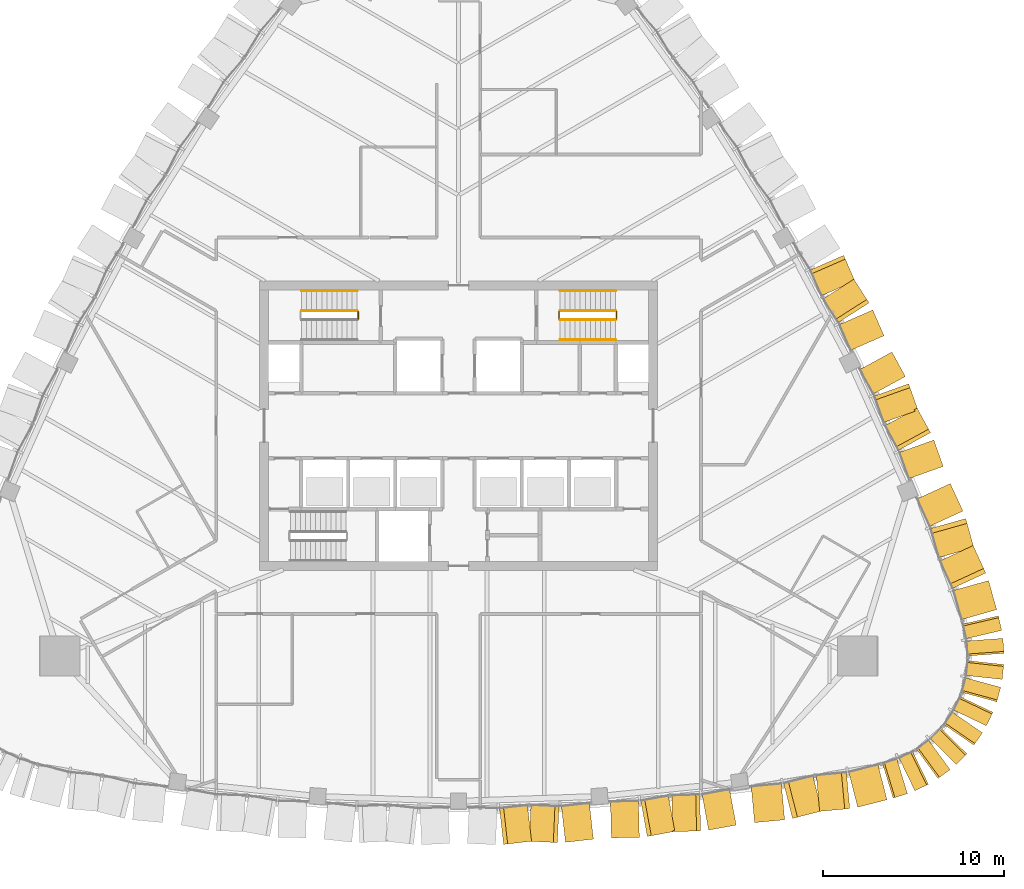
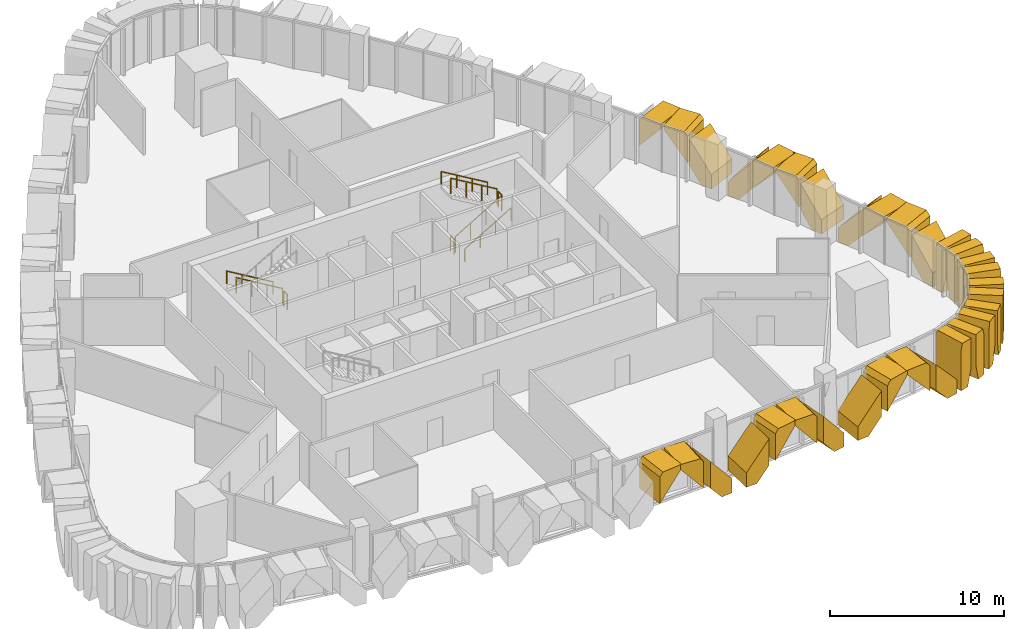
# One storey, part 18 of 20: 32 coverings, 9 railings.
"""IFC4 building model written with IfcOpenShell, lengths in metres."""

from ifc_helpers import new_model, si_unit, direction, frame, origin, origin_2d, place, context, subcontext, project, spatial, polyline, circle, outline, extrude, material, layer, layer_set, type_object, element, save


model = new_model("IFC4")

# Units and contexts
model_context = context("Model", 3, precision=1e-05, world=origin(), true_north=direction((0.0, 1.0)))
body_context = subcontext(model_context, "Body", "Model", "MODEL_VIEW")
ifc_project = project(units=[si_unit("LENGTHUNIT", "METRE"), si_unit("AREAUNIT", "SQUARE_METRE"), si_unit("VOLUMEUNIT", "CUBIC_METRE"), si_unit("PLANEANGLEUNIT", "RADIAN"), si_unit("MASSUNIT", "GRAM", prefix="KILO")], contexts=[model_context])

# Site, building, storey
site_placement = place(None, origin())
site = spatial("IfcSite", under=ifc_project, at=site_placement, CompositionType="ELEMENT")
building_placement = place(site_placement, origin())
building = spatial("IfcBuilding", under=site, at=building_placement, Name="Sierra Prisma Convention Tower", CompositionType="ELEMENT")
storey_placement = place(building_placement, frame((0.0, 0.0, 239.0)))
storey = spatial("IfcBuildingStorey", under=building, at=storey_placement, Name="L53", CompositionType="ELEMENT", Elevation=239.0)

# Coverings
ifc_material_1 = material(Name="Aluminium 6063-T6 bronze anodised", Category="aluminium")
ifc_layer = layer(ifc_material_1, 2.0)
ifc_layer_set = layer_set([ifc_layer], Name="Bronze crystal chevron frame")
covering_type = type_object("IfcCoveringType", Name="Bronze crystal chevron frame", PredefinedType="CLADDING", material=ifc_layer_set)
covering_1_placement = place(storey_placement, frame((2.487548828125, -23.138427734375, 3.01025390625), z_axis=(0.112542491685, -0.993646911859, 4.6030261e-05), x_axis=(5.18036e-06, -4.5737827e-05, -0.999999998941)))
element("IfcCovering", 1, at=covering_1_placement, inside=storey, type_object=covering_type, Name="CW-2 chevron frame S4.1.2", PredefinedType="CLADDING", context=body_context, shape_type="SweptSolid", body=[
    extrude(outline(polyline([(0.0, 0.0), (1.8657226542734675, 0.0), (0.014404296288144155, 1.555292462244443), (-0.26977539091079805, 1.555292462244443), (-0.2697753954659788, 0.2267951812150222), (0.0, 0.0)])), origin(), (0.0, 0.0, -1.0), 2.0),
])
covering_2_placement = place(storey_placement, frame((3.908935546875, -22.9677734375, 3.280029296875), z_axis=(-0.044418262807, -0.999013018779, 7.898468e-05), x_axis=(-3.508362e-06, -7.8906724e-05, -0.999999996881)))
element("IfcCovering", 2, at=covering_2_placement, inside=storey, type_object=covering_type, Name="CW-2 chevron frame S4.2.1", PredefinedType="CLADDING", context=body_context, shape_type="SweptSolid", body=[
    extrude(outline(polyline([(0.0, 0.0), (0.2841796866135612, 1.2035477912646553e-22), (2.135498041896778, 1.5550024967614853), (0.26977539146650764, 1.5550024967614853), (-1.3412337205109789e-08, 1.3284520479477893), (0.0, 0.0)])), origin(), (0.0, 0.0, -1.0), 2.0),
])
covering_3_placement = place(storey_placement, frame((7.450927734375, -22.846923828125, 0.0), z_axis=(0.112405232441, -0.993662449512, -1.2234271e-05), x_axis=(1.375196e-06, -1.2156735e-05, 0.999999999925)))
element("IfcCovering", 3, at=covering_3_placement, inside=storey, type_object=covering_type, Name="CW-2 chevron frame S4.2.2", PredefinedType="CLADDING", context=body_context, shape_type="SweptSolid", body=[
    extrude(outline(polyline([(0.0, 0.0), (1.0041503905498508, 0.0), (2.8554687499344427, 1.5550224096352394), (0.9897460938240713, 1.5550224096352394), (-4.2955506850440997e-10, 0.7235758926849429), (0.0, 0.0)])), origin(), (0.0, 0.0, -1.0), 2.0),
])
covering_4_placement = place(storey_placement, frame((8.442626953125, -22.779541015625, 0.0), z_axis=(0.023849943496, -0.999715548895, -3.8642777e-05), x_axis=(0.999715549641, 0.023849943514, -5.951e-09)))
element("IfcCovering", 4, at=covering_4_placement, inside=storey, type_object=covering_type, Name="CW-2 chevron frame S5.1.1", PredefinedType="CLADDING", context=body_context, shape_type="SweptSolid", body=[
    extrude(outline(polyline([(0.0, 0.0), (0.72213189118127, -1.0587911840678754e-22), (1.5473142187359994, 0.9868164161950754), (1.5473142076023079, 2.857666024173239), (-5.993276529935727e-09, 1.0070800773730817), (0.0, 0.0)])), origin(), (0.0, 0.0, -1.0), 2.0),
])
covering_5_placement = place(storey_placement, frame((10.430419921875, -22.697265625, 3.01318359375), z_axis=(0.179891931607, -0.983686378545, -4.0100728e-05), x_axis=(-7.213797e-06, 3.944654e-05, -0.999999999196)))
element("IfcCovering", 5, at=covering_5_placement, inside=storey, type_object=covering_type, Name="CW-2 chevron frame S5.1.2", PredefinedType="CLADDING", context=body_context, shape_type="SweptSolid", body=[
    extrude(outline(polyline([(0.0, 0.0), (1.870849607870773, 0.0), (0.020263671429601168, 1.547211350335911), (-0.2668457033395531, 1.547211350335911), (-0.26684570680969877, 0.2231045732007085), (0.0, 0.0)])), origin(), (0.0, 0.0, -1.0), 2.0),
])
covering_6_placement = place(storey_placement, frame((11.828857421875, -22.431640625, 3.280029296875), z_axis=(0.023821470512, -0.999716228261, -2.224456e-05), x_axis=(-5.29898e-07, 2.2238248e-05, -0.999999999753)))
element("IfcCovering", 6, at=covering_6_placement, inside=storey, type_object=covering_type, Name="CW-2 chevron frame S5.2.1", PredefinedType="CLADDING", context=body_context, shape_type="SweptSolid", body=[
    extrude(outline(polyline([(0.0, 0.0), (0.2871093749289662, 3.0398887511323767e-23), (2.137695312103153, 1.5473142250671934), (0.26684570319102036, 1.5473142250671934), (-1.0678022739647234e-09, 1.3241050685223317), (0.0, 0.0)])), origin(), (0.0, 0.0, -1.0), 2.0),
])
covering_7_placement = place(storey_placement, frame((15.338623046875, -22.071044921875, 0.0), z_axis=(0.179886779152, -0.983687321601, 2.631026e-06), x_axis=(-4.73287e-07, 2.588107e-06, 0.999999999997)))
element("IfcCovering", 7, at=covering_7_placement, inside=storey, type_object=covering_type, Name="CW-2 chevron frame S5.2.2", PredefinedType="CLADDING", context=body_context, shape_type="SweptSolid", body=[
    extrude(outline(polyline([(0.0, 0.0), (1.0070800781215143, 0.0), (2.8576660156219402, 1.5472113503707363), (0.9868164062534156, 1.5472113503707363), (-1.9921891585451716e-11, 0.7219839318988435), (0.0, 0.0)])), origin(), (0.0, 0.0, -1.0), 2.0),
])
covering_8_placement = place(storey_placement, frame((16.355224609375, -21.93310546875, 0.0), z_axis=(0.09202079888, -0.995757084762, 2.6843308e-05), x_axis=(0.99575708512, 0.092020798913, -2.666e-09)))
element("IfcCovering", 8, at=covering_8_placement, inside=storey, type_object=covering_type, Name="CW-2 chevron frame S6.1.1", PredefinedType="CLADDING", context=body_context, shape_type="SweptSolid", body=[
    extrude(outline(polyline([(0.0, 0.0), (0.7463238309572644, 0.0), (1.6711556113902402, 1.0295410204507012), (1.6711556066022877, 2.825683597928584), (-2.5719706847456778e-09, 0.9648437496523846), (0.0, 0.0)])), origin(), (0.0, 0.0, -1.0), 2.0),
])
covering_9_placement = place(storey_placement, frame((18.456298828125, -21.7041015625, 2.970458984375), z_axis=(0.246618798491, -0.969112566867, 3.1169148e-05), x_axis=(7.686898e-06, -3.0206413e-05, -0.999999999514)))
element("IfcCovering", 9, at=covering_9_placement, inside=storey, type_object=covering_type, Name="CW-2 chevron frame S6.1.2", PredefinedType="CLADDING", context=body_context, shape_type="SweptSolid", body=[
    extrude(outline(polyline([(0.0, 0.0), (1.7961425772525097, -1.5213919416381562e-21), (-0.06469726589432523, 1.6710000466810653), (-0.3095703126503762, 1.6710000466810653), (-0.3095703146332551, 0.2778884385212548), (0.0, 0.0)])), origin(), (0.0, 0.0, -1.0), 2.0),
])
covering_10_placement = place(storey_placement, frame((19.953369140625, -21.313232421875, 3.280029296875), z_axis=(0.092035463138, -0.9957557298, -9.773678e-06), x_axis=(-8.99525e-07, 9.732195e-06, -0.999999999952)))
element("IfcCovering", 10, at=covering_10_placement, inside=storey, type_object=covering_type, Name="CW-2 chevron frame S6.2.1", PredefinedType="CLADDING", context=body_context, shape_type="SweptSolid", body=[
    extrude(outline(polyline([(0.0, 0.0), (0.2448730468633043, 2.592694232470896e-23), (2.1057128905539977, 1.6711556143604487), (0.30957031251478584, 1.6711556143604487), (-1.9496755203537534e-10, 1.3928727830599394), (0.0, 0.0)])), origin(), (0.0, 0.0, -1.0), 2.0),
])
covering_11_placement = place(storey_placement, frame((23.673828125, -20.672119140625, 0.0), z_axis=(0.246592732072, -0.969119200336, 5.448043e-06), x_axis=(-1.343448e-06, 5.279804e-06, 0.999999999985)))
element("IfcCovering", 11, at=covering_11_placement, inside=storey, type_object=covering_type, Name="CW-2 chevron frame S6.2.2", PredefinedType="CLADDING", context=body_context, shape_type="SweptSolid", body=[
    extrude(outline(polyline([(0.0, 0.0), (0.9648437499856811, 0.0), (2.825683593738623, 1.671236647184354), (1.0295410156402791, 1.671236647184354), (-8.194932577529106e-11, 0.7464431422418866), (0.0, 0.0)])), origin(), (0.0, 0.0, -1.0), 2.0),
])
covering_12_placement = place(storey_placement, frame((24.01123046875, -20.578125, 0.0), z_axis=(0.290401133914, -0.956905001186, 1.1219994e-05), x_axis=(0.956905001247, 0.290401133933, -2.334e-09)))
element("IfcCovering", 12, at=covering_12_placement, inside=storey, type_object=covering_type, Name="CW-2 chevron frame SE1.1.1", PredefinedType="CLADDING", context=body_context, shape_type="SweptSolid", body=[
    extrude(outline(polyline([(0.0, 0.0), (0.5569260665001465, 0.0), (0.8297072686314431, 1.1433105489608955), (0.8297072636440017, 3.2800292988264017), (0.10611889453970855, 3.2800292962674704), (-6.619529054808918e-09, 2.8359374998214943), (0.0, 0.0)])), origin(), (0.0, 0.0, -1.0), 2.0),
])
covering_13_placement = place(storey_placement, frame((25.218017578125, -20.175537109375, 3.280029296875), z_axis=(0.43659542122, -0.899657956206, -2.063163e-06), x_axis=(-9.00768e-07, 1.856141e-06, -0.999999999998)))
element("IfcCovering", 13, at=covering_13_placement, inside=storey, type_object=covering_type, Name="CW-2 chevron frame SE1.1.2", PredefinedType="CLADDING", context=body_context, shape_type="SweptSolid", body=[
    extrude(outline(polyline([(0.0, 0.0), (2.1367187499954525, 2.2623389753325307e-22), (3.28002929677639, 0.2729771654056095), (3.280029296859763, 0.8298490320256058), (0.44409179686579864, 0.8298490320256058), (-1.221946022865309e-10, 0.7237163682293589), (0.0, 0.0)])), origin(), (0.0, 0.0, -1.0), 2.0),
])
covering_14_placement = place(storey_placement, frame((26.4931640625, -19.4951171875, 0.0), z_axis=(0.59029112238, -0.807190430246, 1.2616071e-05), x_axis=(0.80719043031, 0.590291122427, -1.37e-09)))
element("IfcCovering", 14, at=covering_14_placement, inside=storey, type_object=covering_type, Name="CW-2 chevron frame SE2.1.1", PredefinedType="CLADDING", context=body_context, shape_type="SweptSolid", body=[
    extrude(outline(polyline([(0.0, 0.0), (0.5567796467254047, 0.0), (0.8296502283967884, 1.1433105480913754), (0.8296502254696447, 3.28002929792133), (0.10586698231075131, 3.280029296878681), (-3.885020691679203e-09, 2.835937499774309), (0.0, 0.0)])), origin(), (0.0, 0.0, -1.0), 2.0),
])
covering_15_placement = place(storey_placement, frame((27.4990234375, -18.716064453125, 3.280029296875), z_axis=(0.709464606063, -0.704741067818, 8.664633e-06), x_axis=(6.147251e-06, -6.106323e-06, -0.999999999962)))
element("IfcCovering", 15, at=covering_15_placement, inside=storey, type_object=covering_type, Name="CW-2 chevron frame SE2.1.2", PredefinedType="CLADDING", context=body_context, shape_type="SweptSolid", body=[
    extrude(outline(polyline([(0.0, 0.0), (2.136718749919792, -1.8098711802660246e-21), (3.2800292971716587, 0.2729349106665654), (3.2800292968301803, 0.8296811579025369), (0.4440917969366351, 0.8296811579025369), (2.319408539708278e-12, 0.723683632161348), (0.0, 0.0)])), origin(), (0.0, 0.0, -1.0), 2.0),
])
covering_16_placement = place(storey_placement, frame((28.477294921875, -17.652587890625, 0.0), z_axis=(0.824136965611, -0.566390555988, -4.6893e-08), x_axis=(0.566390555988, 0.824136965611, -1e-12)))
element("IfcCovering", 16, at=covering_16_placement, inside=storey, type_object=covering_type, Name="CW-2 chevron frame SE3.1.1", PredefinedType="CLADDING", context=body_context, shape_type="SweptSolid", body=[
    extrude(outline(polyline([(0.0, 0.0), (0.5569223861539131, 1.6543612251060553e-24), (0.8297630519903216, 1.143310546875541), (0.8297630519890353, 3.280029296875539), (0.10604812266941802, 3.280029296874716), (-1.7073006919604961e-12, 2.8359374999999973), (0.0, 0.0)])), origin(), (0.0, 0.0, -1.0), 2.0),
])
covering_17_placement = place(storey_placement, frame((29.1689453125, -16.584716796875, 3.280029296875), z_axis=(0.902464450497, -0.430764338717, 8.898946e-06), x_axis=(8.030982e-06, -3.833349e-06, -0.99999999996)))
element("IfcCovering", 17, at=covering_17_placement, inside=storey, type_object=covering_type, Name="CW-2 chevron frame SE3.1.2", PredefinedType="CLADDING", context=body_context, shape_type="SweptSolid", body=[
    extrude(outline(polyline([(0.0, 0.0), (2.1367187499153952, 9.049355901330123e-22), (3.2800292974982495, 0.27300171920340693), (3.280029296861856, 0.829711294357905), (0.4440917969741466, 0.829711294357905), (3.313145739949528e-10, 0.7236763832368048), (0.0, 0.0)])), origin(), (0.0, 0.0, -1.0), 2.0),
])
covering_18_placement = place(storey_placement, frame((29.74072265625, -15.257568359375, 0.0), z_axis=(0.965031393635, -0.262134334116, -1.3281566e-05), x_axis=(0.262134334139, 0.96503139372, -7.63e-10)))
element("IfcCovering", 18, at=covering_18_placement, inside=storey, type_object=covering_type, Name="CW-2 chevron frame SE4.1.1", PredefinedType="CLADDING", context=body_context, shape_type="SweptSolid", body=[
    extrude(outline(polyline([(0.0, 0.0), (0.5570692042936883, 2.117582368135751e-22), (0.8298009422725373, 1.1433105475443885), (0.8298009406428684, 3.28002929735593), (0.10601353950531381, 3.2800292972479275), (-2.1629609633183896e-09, 2.8359374997498707), (0.0, 0.0)])), origin(), (0.0, 0.0, -1.0), 2.0),
])
covering_19_placement = place(storey_placement, frame((30.04052734375, -14.02099609375, 3.280029296875), z_axis=(0.994183413284, -0.107700235487, -5.216804e-06), x_axis=(-5.18646e-06, 5.61851e-07, -0.999999999986)))
element("IfcCovering", 19, at=covering_19_placement, inside=storey, type_object=covering_type, Name="CW-2 chevron frame SE4.1.2", PredefinedType="CLADDING", context=body_context, shape_type="SweptSolid", body=[
    extrude(outline(polyline([(0.0, 0.0), (2.1367187499709246, -2.2623389753325307e-22), (3.280029297279899, 0.27281782237110863), (3.280029296891459, 0.8297763768849598), (0.44409179693004874, 0.8297763768849598), (3.159696103475178e-10, 0.7236852768819207), (0.0, 0.0)])), origin(), (0.0, 0.0, -1.0), 2.0),
])
covering_20_placement = place(storey_placement, frame((30.14111328125, -12.579345703125, 0.0), z_axis=(0.997418469358, 0.071808054601, -1.6670509e-05), x_axis=(-0.071808054611, 0.997418469497, -1.559e-09)))
element("IfcCovering", 20, at=covering_20_placement, inside=storey, type_object=covering_type, Name="CW-2 chevron frame SE5.1.1", PredefinedType="CLADDING", context=body_context, shape_type="SweptSolid", body=[
    extrude(outline(polyline([(0.0, 0.0), (0.5568612155910692, 0.0), (0.8297777757856193, 1.1433105482506813), (0.8297777724545025, 3.2800292979537784), (0.10598345362304398, 3.2800292972882126), (-4.4211896784294205e-09, 2.835937499605938), (0.0, 0.0)])), origin(), (0.0, 0.0, -1.0), 2.0),
])
covering_21_placement = place(storey_placement, frame((30.01513671875, -11.3134765625, 3.280029296875), z_axis=(0.973929565657, 0.226850614026, 7.409654e-06), x_axis=(7.216481e-06, 1.680885e-06, -0.999999999973)))
element("IfcCovering", 21, at=covering_21_placement, inside=storey, type_object=covering_type, Name="CW-2 chevron frame SE5.1.2", PredefinedType="CLADDING", context=body_context, shape_type="SweptSolid", body=[
    extrude(outline(polyline([(0.0, 0.0), (2.136718749941344, 4.524677950665061e-22), (3.280029296173895, 0.2730052131332854), (3.280029296741248, 0.829738448689577), (0.44409179681909877, 0.829738448689577), (-9.712055526264418e-10, 0.72373171859694), (0.0, 0.0)])), origin(), (0.0, 0.0, -1.0), 2.0),
])
covering_22_placement = place(storey_placement, frame((29.739501953125, -10.166015625, 0.0), z_axis=(0.962587310225, 0.270971711859, 3.9566286e-05), x_axis=(-0.270971712071, 0.962587310979, -5.791e-09)))
element("IfcCovering", 22, at=covering_22_placement, inside=storey, type_object=covering_type, Name="CW-2 chevron frame NE1.1.1", PredefinedType="CLADDING", context=body_context, shape_type="SweptSolid", body=[
    extrude(outline(polyline([(0.0, 0.0), (0.7464011313001135, 1.6940658945086007e-21), (1.671176829470385, 1.0295410261084081), (1.6711768190691871, 2.8256836028274854), (-5.587268442988113e-09, 0.9648437492447729), (0.0, 0.0)])), origin(), (0.0, 0.0, -1.0), 2.0),
])
covering_23_placement = place(storey_placement, frame((29.13330078125, -8.141357421875, 2.970458984375), z_axis=(0.908312716499, 0.418291774699, -1.6290194e-05), x_axis=(-1.479659e-05, -6.814054e-06, -0.999999999867)))
element("IfcCovering", 23, at=covering_23_placement, inside=storey, type_object=covering_type, Name="CW-2 chevron frame NE1.1.2", PredefinedType="CLADDING", context=body_context, shape_type="SweptSolid", body=[
    extrude(outline(polyline([(0.0, 0.0), (1.7961425778866784, -1.5213919416381562e-21), (-0.06469726569856643, 1.671032595299239), (-0.30957031254107537, 1.671032595299239), (-0.30957031308270055, 0.2779058187909484), (0.0, 0.0)])), origin(), (0.0, 0.0, -1.0), 2.0),
])
covering_24_placement = place(storey_placement, frame((28.477294921875, -6.739990234375, 3.280029296875), z_axis=(0.96258153576, 0.270992226346, -1.6537417e-05), x_axis=(-1.5918612e-05, -4.481511e-06, -0.999999999863)))
element("IfcCovering", 24, at=covering_24_placement, inside=storey, type_object=covering_type, Name="CW-2 chevron frame NE1.2.1", PredefinedType="CLADDING", context=body_context, shape_type="SweptSolid", body=[
    extrude(outline(polyline([(0.0, 0.0), (0.2448730468415153, 0.0), (2.1057128904217217, 1.6711768359209256), (0.30957031254233164, 1.6711768359209256), (-5.581895138155805e-10, 1.3929325627701084), (0.0, 0.0)])), origin(), (0.0, 0.0, -1.0), 2.0),
])
covering_25_placement = place(storey_placement, frame((27.172119140625, -3.197509765625, 0.0), z_axis=(0.908311147701, 0.418295181469, 1.0985849e-05), x_axis=(-9.978569e-06, -4.595328e-06, 0.99999999994)))
element("IfcCovering", 25, at=covering_25_placement, inside=storey, type_object=covering_type, Name="CW-2 chevron frame NE1.2.2", PredefinedType="CLADDING", context=body_context, shape_type="SweptSolid", body=[
    extrude(outline(polyline([(0.0, 0.0), (0.9648437499417771, 0.0), (2.8256835937037397, 1.6710325952685716), (1.0295410156871272, 1.6710325952685716), (-3.3322035954773586e-10, 0.7464305650514864), (0.0, 0.0)])), origin(), (0.0, 0.0, -1.0), 2.0),
])
covering_26_placement = place(storey_placement, frame((26.78369140625, -2.248291015625, 0.0), z_axis=(0.941828314622, 0.336094370088, -1.3108588e-05), x_axis=(-0.336094370117, 0.941828314703, -6.85e-10)))
element("IfcCovering", 26, at=covering_26_placement, inside=storey, type_object=covering_type, Name="CW-2 chevron frame NE2.1.1", PredefinedType="CLADDING", context=body_context, shape_type="SweptSolid", body=[
    extrude(outline(polyline([(0.0, 0.0), (0.7219408350447296, 4.235164736271502e-22), (1.5472788613380448, 0.9868164073946705), (1.5472788600565133, 2.8576660166089316), (-6.898496017950647e-10, 1.007080078038474), (0.0, 0.0)])), origin(), (0.0, 0.0, -1.0), 2.0),
])
covering_27_placement = place(storey_placement, frame((26.082275390625, -0.386474609375, 3.01318359375), z_axis=(0.877721878881, 0.47917043222, 1.4850615e-05), x_axis=(1.303471e-05, 7.115976e-06, -0.99999999989)))
element("IfcCovering", 27, at=covering_27_placement, inside=storey, type_object=covering_type, Name="CW-2 chevron frame NE2.1.2", PredefinedType="CLADDING", context=body_context, shape_type="SweptSolid", body=[
    extrude(outline(polyline([(0.0, 0.0), (1.8708496091687008, 0.0), (0.02026367181391516, 1.547365091690281), (-0.2668457031544252, 1.547365091690281), (-0.2668457036303431, 0.22309804596565103), (0.0, 0.0)])), origin(), (0.0, 0.0, -1.0), 2.0),
])
covering_28_placement = place(storey_placement, frame((25.3916015625, 0.858154296875, 3.280029296875), z_axis=(0.941880514005, 0.335948057365, 9.460289e-06), x_axis=(8.910462e-06, 3.178166e-06, -0.999999999955)))
element("IfcCovering", 28, at=covering_28_placement, inside=storey, type_object=covering_type, Name="CW-2 chevron frame NE2.2.1", PredefinedType="CLADDING", context=body_context, shape_type="SweptSolid", body=[
    extrude(outline(polyline([(0.0, 0.0), (0.2871093749871523, 2.4319110009059014e-22), (2.137695312428223, 1.5471968267852172), (0.26684570313694095, 1.5471968267852172), (-1.931310081749061e-10, 1.324029059155662), (0.0, 0.0)])), origin(), (0.0, 0.0, -1.0), 2.0),
])
covering_29_placement = place(storey_placement, frame((23.948974609375, 4.078125, 0.0), z_axis=(0.877693933698, 0.479221616562, -3.113442e-05), x_axis=(2.7326492e-05, 1.4920287e-05, 0.999999999515)))
element("IfcCovering", 29, at=covering_29_placement, inside=storey, type_object=covering_type, Name="CW-2 chevron frame NE2.2.2", PredefinedType="CLADDING", context=body_context, shape_type="SweptSolid", body=[
    extrude(outline(polyline([(0.0, 0.0), (1.0070800776368924, 1.7060600133906196e-21), (2.8576660151965303, 1.5471508085446253), (0.9868164067282863, 1.5471508085446253), (-2.789727221709924e-09, 0.7220582236284027), (0.0, 0.0)])), origin(), (0.0, 0.0, -1.0), 2.0),
])
covering_30_placement = place(storey_placement, frame((23.511474609375, 4.970458984375, 0.0), z_axis=(0.916740863903, 0.399482399423, 3.1644302e-05), x_axis=(-0.399482399623, 0.916740864362, -3.97e-09)))
element("IfcCovering", 30, at=covering_30_placement, inside=storey, type_object=covering_type, Name="CW-2 chevron frame NE3.1.1", PredefinedType="CLADDING", context=body_context, shape_type="SweptSolid", body=[
    extrude(outline(polyline([(0.0, 0.0), (0.7238009840063323, 1.6940658945086007e-21), (1.5552854831102148, 0.9897461004206567), (1.5552854757025445, 2.855468755736525), (-3.986881453399224e-09, 1.004150390122241), (0.0, 0.0)])), origin(), (0.0, 0.0, -1.0), 2.0),
])
covering_31_placement = place(storey_placement, frame((22.681640625, 6.78759765625, 3.01025390625), z_axis=(0.842963586323, 0.53797062054, -5.9748391e-05), x_axis=(-5.0365718e-05, -3.2142879e-05, -0.999999998215)))
element("IfcCovering", 31, at=covering_31_placement, inside=storey, type_object=covering_type, Name="CW-2 chevron frame NE3.1.2", PredefinedType="CLADDING", context=body_context, shape_type="SweptSolid", body=[
    extrude(outline(polyline([(0.0, 0.0), (1.865722652919806, 0.0), (0.014404295886226113, 1.5552587369418536), (-0.2697753911065316, 1.5552587369418536), (-0.2697753987814041, 0.22668159897397028), (0.0, 0.0)])), origin(), (0.0, 0.0, -1.0), 2.0),
])
covering_32_placement = place(storey_placement, frame((21.903564453125, 7.989013671875, 3.280029296875), z_axis=(0.916733762187, 0.39949869722, -1.3604524e-05), x_axis=(-1.2471726e-05, -5.43499e-06, -0.999999999907)))
element("IfcCovering", 32, at=covering_32_placement, inside=storey, type_object=covering_type, Name="CW-2 chevron frame NE3.2.1", PredefinedType="CLADDING", context=body_context, shape_type="SweptSolid", body=[
    extrude(outline(polyline([(0.0, 0.0), (0.2841796874737016, 0.0), (2.1354980467273084, 1.5552854873509292), (0.2697753906499654, 1.5552854873509292), (-3.979105299676229e-10, 1.3286364521028604), (0.0, 0.0)])), origin(), (0.0, 0.0, -1.0), 2.0),
])

# Railings
ifc_material_2 = material(Name="Stainless steel", Category="steel")
railing_type_1 = type_object("IfcRailingType", Name="Exit stair handrail", PredefinedType="HANDRAIL", material=ifc_material_2)
railing_1_placement = place(storey_placement, frame((-5.60009765625, 7.449951171875, 0.166748046875)))
element("IfcRailing", 33, at=railing_1_placement, inside=storey, type_object=railing_type_1, Name="L53 S3 stair handrail 1", PredefinedType="HANDRAIL", context=body_context, shape_type="SweptSolid", body=[
    extrude(circle(Radius=0.02392578125, at=origin_2d()), frame((0.0, 0.0, 0.8759765625), z_axis=(-0.859290745958, 0.0, 0.51148745235), x_axis=(0.0, -1.0, 0.0)), (0.0, 0.0, 1.0), 3.584228515625),
    extrude(circle(Radius=0.02099609375, at=origin_2d()), origin(), (0.0, 0.0, 1.0), 0.851806640625),
    extrude(circle(Radius=0.02099609375, at=origin_2d()), frame((-1.026611328125, 0.0, 0.611083984375)), (0.0, 0.0, 1.0), 0.851806640625),
    extrude(circle(Radius=0.02099609375, at=origin_2d()), frame((-2.05322265625, 0.0, 1.22216796875)), (0.0, 0.0, 1.0), 0.851806640625),
    extrude(circle(Radius=0.02099609375, at=origin_2d()), frame((-3.079833984375, 0.0, 1.833251953125)), (0.0, 0.0, 1.0), 0.851806640625),
])
railing_2_placement = place(storey_placement, frame((5.60009765625, 4.75, 0.166748046875)))
element("IfcRailing", 34, at=railing_2_placement, inside=storey, type_object=railing_type_1, Name="L53 S4 stair handrail 1", PredefinedType="HANDRAIL", context=body_context, shape_type="SweptSolid", body=[
    extrude(circle(Radius=0.02392578125, at=origin_2d()), frame((0.0, 0.0, 0.8759765625), z_axis=(0.859290745958, 0.0, 0.51148745235), x_axis=(0.0, 1.0, 0.0)), (0.0, 0.0, 1.0), 3.584228515625),
    extrude(circle(Radius=0.02099609375, at=origin_2d()), origin(), (0.0, 0.0, 1.0), 0.851806640625),
    extrude(circle(Radius=0.02099609375, at=origin_2d()), frame((1.026611328125, 0.0, 0.611083984375)), (0.0, 0.0, 1.0), 0.851806640625),
    extrude(circle(Radius=0.02099609375, at=origin_2d()), frame((2.05322265625, 0.0, 1.22216796875)), (0.0, 0.0, 1.0), 0.851806640625),
    extrude(circle(Radius=0.02099609375, at=origin_2d()), frame((3.079833984375, 0.0, 1.833251953125)), (0.0, 0.0, 1.0), 0.851806640625),
])
railing_3_placement = place(storey_placement, frame((8.679931640625, 7.449951171875, 2.166748046875)))
element("IfcRailing", 35, at=railing_3_placement, inside=storey, type_object=railing_type_1, Name="L53 S4 stair handrail 2", PredefinedType="HANDRAIL", context=body_context, shape_type="SweptSolid", body=[
    extrude(circle(Radius=0.02392578125, at=origin_2d()), frame((0.0, 0.0, 0.8759765625), z_axis=(-0.859290745958, 0.0, 0.51148745235), x_axis=(0.0, -1.0, 0.0)), (0.0, 0.0, 1.0), 3.584228515625),
    extrude(circle(Radius=0.02099609375, at=origin_2d()), origin(), (0.0, 0.0, 1.0), 0.851806640625),
    extrude(circle(Radius=0.02099609375, at=origin_2d()), frame((-1.026611328125, 0.0, 0.611083984375)), (0.0, 0.0, 1.0), 0.851806640625),
    extrude(circle(Radius=0.02099609375, at=origin_2d()), frame((-2.05322265625, 0.0, 1.22216796875)), (0.0, 0.0, 1.0), 0.851806640625),
    extrude(circle(Radius=0.02099609375, at=origin_2d()), frame((-3.079833984375, 0.0, 1.833251953125)), (0.0, 0.0, 1.0), 0.851806640625),
])
ifc_material_3 = material(Name="Stainless steel", Category="steel")
railing_type_2 = type_object("IfcRailingType", Name="Stair guard 1100", PredefinedType="GUARDRAIL", material=ifc_material_3)
railing_4_placement = place(storey_placement, frame((-5.60009765625, 6.35009765625, 0.166748046875)))
element("IfcRailing", 36, at=railing_4_placement, inside=storey, type_object=railing_type_2, Name="L53 S3 stair guard 1", PredefinedType="GUARDRAIL", context=body_context, shape_type="SweptSolid", body=[
    extrude(circle(Radius=0.02392578125, at=origin_2d()), frame((0.0, 0.0, 1.076171875), z_axis=(-0.859290745958, 0.0, 0.51148745235), x_axis=(0.0, -1.0, 0.0)), (0.0, 0.0, 1.0), 3.584228515625),
    extrude(circle(Radius=0.02099609375, at=origin_2d()), origin(), (0.0, 0.0, 1.0), 1.052001953125),
    extrude(circle(Radius=0.02099609375, at=origin_2d()), frame((-1.026611328125, 0.0, 0.611083984375)), (0.0, 0.0, 1.0), 1.052001953125),
    extrude(circle(Radius=0.02099609375, at=origin_2d()), frame((-2.05322265625, 0.0, 1.22216796875)), (0.0, 0.0, 1.0), 1.052001953125),
    extrude(circle(Radius=0.02099609375, at=origin_2d()), frame((-3.079833984375, 0.0, 1.833251953125)), (0.0, 0.0, 1.0), 1.052001953125),
])
railing_5_placement = place(storey_placement, frame((-5.550048828125, 6.300048828125, 0.0)))
element("IfcRailing", 37, at=railing_5_placement, inside=storey, type_object=railing_type_2, Name="L53 S3 stair guard 4", PredefinedType="GUARDRAIL", context=body_context, shape_type="SweptSolid", body=[
    extrude(circle(Radius=0.02392578125, at=origin_2d()), frame((0.0, 0.0, 1.076171875), z_axis=(0.0, -1.0, 0.0), x_axis=(1.0, 0.0, 0.0)), (0.0, 0.0, 1.0), 0.400146484375),
    extrude(circle(Radius=0.02099609375, at=origin_2d()), origin(), (0.0, 0.0, 1.0), 1.052001953125),
    extrude(circle(Radius=0.02099609375, at=origin_2d()), frame((0.0, -0.400146484375, 0.0)), (0.0, 0.0, 1.0), 1.052001953125),
])
railing_6_placement = place(storey_placement, frame((5.60009765625, 5.85009765625, 0.166748046875)))
element("IfcRailing", 38, at=railing_6_placement, inside=storey, type_object=railing_type_2, Name="L53 S4 stair guard 1", PredefinedType="GUARDRAIL", context=body_context, shape_type="SweptSolid", body=[
    extrude(circle(Radius=0.02392578125, at=origin_2d()), frame((0.0, 0.0, 1.076171875), z_axis=(0.859290745958, 0.0, 0.51148745235), x_axis=(0.0, 1.0, 0.0)), (0.0, 0.0, 1.0), 3.584228515625),
    extrude(circle(Radius=0.02099609375, at=origin_2d()), origin(), (0.0, 0.0, 1.0), 1.052001953125),
    extrude(circle(Radius=0.02099609375, at=origin_2d()), frame((1.026611328125, 0.0, 0.611083984375)), (0.0, 0.0, 1.0), 1.052001953125),
    extrude(circle(Radius=0.02099609375, at=origin_2d()), frame((2.05322265625, 0.0, 1.22216796875)), (0.0, 0.0, 1.0), 1.052001953125),
    extrude(circle(Radius=0.02099609375, at=origin_2d()), frame((3.079833984375, 0.0, 1.833251953125)), (0.0, 0.0, 1.0), 1.052001953125),
])
railing_7_placement = place(storey_placement, frame((8.72998046875, 5.89990234375, 2.0)))
element("IfcRailing", 39, at=railing_7_placement, inside=storey, type_object=railing_type_2, Name="L53 S4 stair guard 2", PredefinedType="GUARDRAIL", context=body_context, shape_type="SweptSolid", body=[
    extrude(circle(Radius=0.02392578125, at=origin_2d()), frame((0.0, 0.0, 1.076171875), z_axis=(0.0, 1.0, 0.0), x_axis=(-1.0, 0.0, 0.0)), (0.0, 0.0, 1.0), 0.400146484375),
    extrude(circle(Radius=0.02099609375, at=origin_2d()), origin(), (0.0, 0.0, 1.0), 1.052001953125),
    extrude(circle(Radius=0.02099609375, at=origin_2d()), frame((0.0, 0.400146484375, 0.0)), (0.0, 0.0, 1.0), 1.052001953125),
])
railing_8_placement = place(storey_placement, frame((8.679931640625, 6.35009765625, 2.166748046875)))
element("IfcRailing", 40, at=railing_8_placement, inside=storey, type_object=railing_type_2, Name="L53 S4 stair guard 3", PredefinedType="GUARDRAIL", context=body_context, shape_type="SweptSolid", body=[
    extrude(circle(Radius=0.02392578125, at=origin_2d()), frame((0.0, 0.0, 1.076171875), z_axis=(-0.859290745958, 0.0, 0.51148745235), x_axis=(0.0, -1.0, 0.0)), (0.0, 0.0, 1.0), 3.584228515625),
    extrude(circle(Radius=0.02099609375, at=origin_2d()), origin(), (0.0, 0.0, 1.0), 1.052001953125),
    extrude(circle(Radius=0.02099609375, at=origin_2d()), frame((-1.026611328125, 0.0, 0.611083984375)), (0.0, 0.0, 1.0), 1.052001953125),
    extrude(circle(Radius=0.02099609375, at=origin_2d()), frame((-2.05322265625, 0.0, 1.22216796875)), (0.0, 0.0, 1.0), 1.052001953125),
    extrude(circle(Radius=0.02099609375, at=origin_2d()), frame((-3.079833984375, 0.0, 1.833251953125)), (0.0, 0.0, 1.0), 1.052001953125),
])
railing_9_placement = place(storey_placement, frame((5.550048828125, 5.89990234375, 0.0)))
element("IfcRailing", 41, at=railing_9_placement, inside=storey, type_object=railing_type_2, Name="L53 S4 stair guard 4", PredefinedType="GUARDRAIL", context=body_context, shape_type="SweptSolid", body=[
    extrude(circle(Radius=0.02392578125, at=origin_2d()), frame((0.0, 0.0, 1.076171875), z_axis=(0.0, 1.0, 0.0), x_axis=(-1.0, 0.0, 0.0)), (0.0, 0.0, 1.0), 0.400146484375),
    extrude(circle(Radius=0.02099609375, at=origin_2d()), origin(), (0.0, 0.0, 1.0), 1.052001953125),
    extrude(circle(Radius=0.02099609375, at=origin_2d()), frame((0.0, 0.400146484375, 0.0)), (0.0, 0.0, 1.0), 1.052001953125),
])

save(model, "model.ifc")
